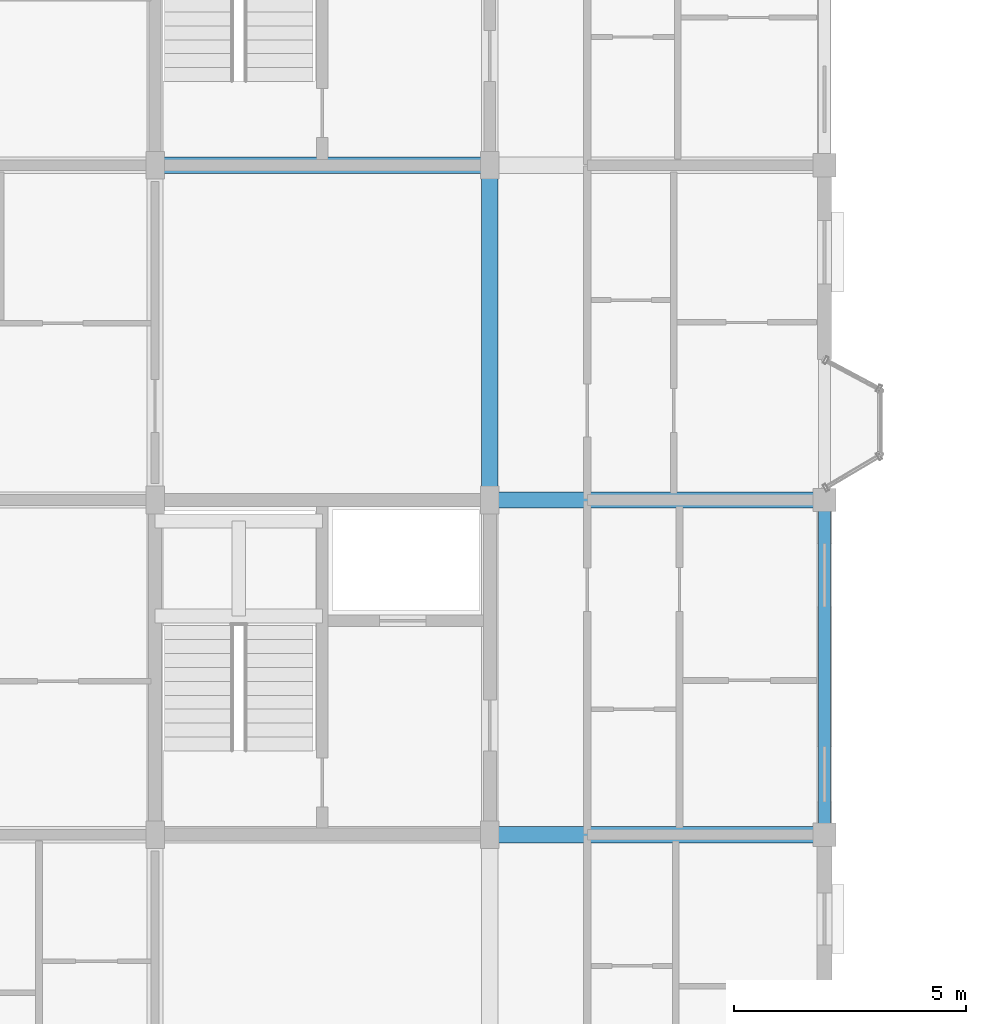
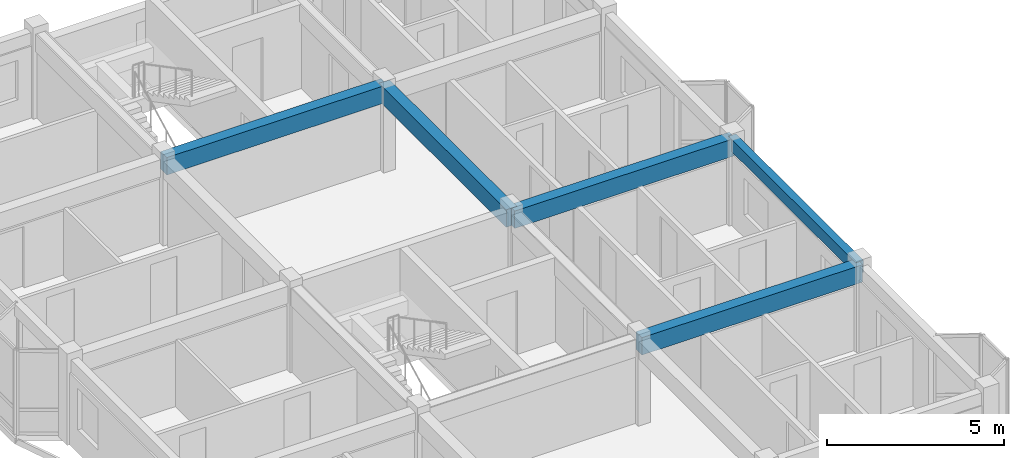
# One storey, part 19 of 70: 5 beams.
"""IFC4 building model written with IfcOpenShell, lengths in metres."""

from ifc_helpers import new_model, si_unit, direction, frame, origin, origin_2d, place, context, subcontext, project, spatial, rectangle, extrude, material, material_profile, profile_set, type_object, element, save


model = new_model("IFC4")

# Units and contexts
model_context = context("Model", 3, precision=1e-05, world=origin(), true_north=direction((0.0, 1.0)))
body_context = subcontext(model_context, "Body", "Model", "MODEL_VIEW")
ifc_project = project(units=[si_unit("LENGTHUNIT", "METRE"), si_unit("AREAUNIT", "SQUARE_METRE"), si_unit("VOLUMEUNIT", "CUBIC_METRE"), si_unit("PLANEANGLEUNIT", "RADIAN"), si_unit("MASSUNIT", "GRAM", prefix="KILO"), si_unit("THERMODYNAMICTEMPERATUREUNIT", "KELVIN"), si_unit("POWERUNIT", "WATT")], contexts=[model_context])

# Site, building, storey
site_placement = place(None, origin())
site = spatial("IfcSite", under=ifc_project, at=site_placement, CompositionType="ELEMENT")
building_placement = place(site_placement, origin())
building = spatial("IfcBuilding", under=site, at=building_placement, Name="Tavuni Mirador Residences", CompositionType="ELEMENT")
storey_placement = place(building_placement, frame((0.0, 0.0, 23.39990234375)))
storey = spatial("IfcBuildingStorey", under=building, at=storey_placement, Name="L07", CompositionType="ELEMENT", Elevation=23.39990234375)

# Beams
ifc_material = material(Name="Precast concrete C40/50", Category="concrete")
ifc_material_profile_1 = material_profile(ifc_material, rectangle(XDim=0.35009765625, YDim=0.60009765625, at=origin_2d()), Name="PC 350x600", Category="concrete")
ifc_profile_set_1 = profile_set([ifc_material_profile_1], Name="Precast concrete C40/50")
beam_type_1 = type_object("IfcBeamType", Name="BT-B600", PredefinedType="BEAM", material=ifc_profile_set_1)
for number, where, z_axis, x_axis, name in (
    (1, (18.0, 72.0, 2.610107421875), (1.0, 0.0, 0.0), (0.0, 1.0, 0.0), "BMX-BLK-B-L07-02-01"),
    (2, (18.0, 79.199951171875, 2.610107421875), (1.0, 0.0, 0.0), (0.0, 1.0, 0.0), "BMX-BLK-B-L07-02-02"),
    (3, (10.800048828125, 86.39990234375, 2.610107421875), (1.0, 0.0, 0.0), (0.0, 1.0, 0.0), "BMX-BLK-B-L07-01-03"),
    (4, (18.0, 79.199951171875, 2.610107421875), (0.0, 1.0, 0.0), (-1.0, 0.0, 0.0), "BMY-BLK-B-L07-02-02"),
):
    element("IfcBeam", number, at=place(storey_placement, frame(where, z_axis=z_axis, x_axis=x_axis)), inside=storey, type_object=beam_type_1, Name=name, PredefinedType="BEAM", context=body_context, shape_type="SweptSolid", body=[
        extrude(rectangle(XDim=0.35009765625, YDim=0.60009765625, at=origin_2d()), origin(), (0.0, 0.0, 1.0), 7.199951171875),
    ])
ifc_material_profile_2 = material_profile(ifc_material, rectangle(XDim=0.25, YDim=0.419921875, at=origin_2d()), Name="PC 250x420", Category="concrete")
ifc_profile_set_2 = profile_set([ifc_material_profile_2], Name="Precast concrete C40/50")
beam_type_2 = type_object("IfcBeamType", Name="BT-SP420", PredefinedType="SPANDREL", material=ifc_profile_set_2)
beam_placement = place(storey_placement, frame((25.199951171875, 72.0, 2.7001953125), z_axis=(0.0, 1.0, 0.0), x_axis=(-1.0, 0.0, 0.0)))
element("IfcBeam", 5, at=beam_placement, inside=storey, type_object=beam_type_2, Name="BMY-BLK-B-L07-03-01", PredefinedType="SPANDREL", context=body_context, shape_type="SweptSolid", body=[
    extrude(rectangle(XDim=0.25, YDim=0.419921875, at=origin_2d()), origin(), (0.0, 0.0, 1.0), 7.199951171875),
])

save(model, "model.ifc")
